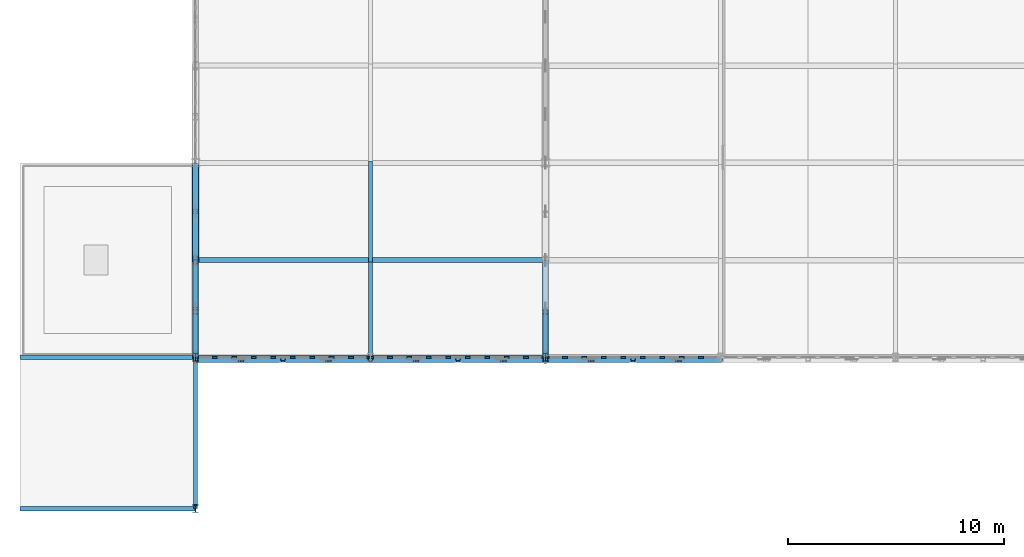
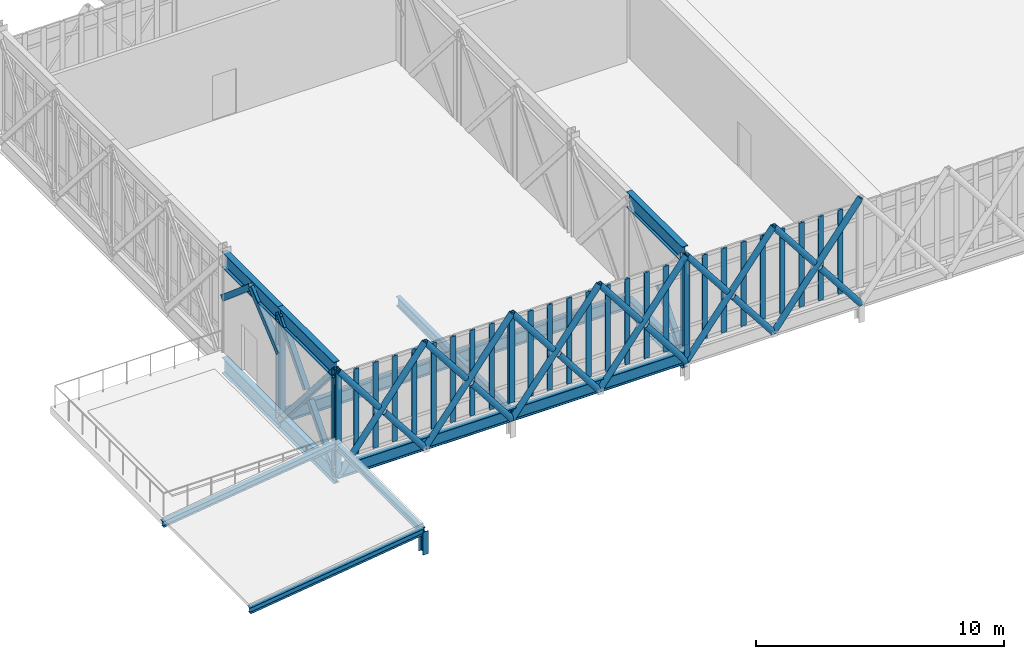
# One storey, part 15 of 107: 59 members, 11 beams, 3 elements without a shape of their own.
"""IFC4 building model written with IfcOpenShell, lengths in metres."""

from ifc_helpers import new_model, si_unit, direction, frame, origin, origin_2d, place, context, subcontext, project, spatial, rectangle, hollow_rectangle, hollow_circle, i_section, extrude, material, material_profile, profile_set, type_object, element, aggregate, save


model = new_model("IFC4")

# Units and contexts
model_context = context("Model", 3, precision=1e-05, world=origin(), true_north=direction((0.0, 1.0)))
body_context = subcontext(model_context, "Body", "Model", "MODEL_VIEW")
ifc_project = project(units=[si_unit("LENGTHUNIT", "METRE"), si_unit("AREAUNIT", "SQUARE_METRE"), si_unit("VOLUMEUNIT", "CUBIC_METRE"), si_unit("PLANEANGLEUNIT", "RADIAN"), si_unit("MASSUNIT", "GRAM", prefix="KILO")], contexts=[model_context])

# Site, building, storey
site_placement = place(None, origin())
site = spatial("IfcSite", under=ifc_project, at=site_placement, CompositionType="ELEMENT")
building_placement = place(site_placement, origin())
building = spatial("IfcBuilding", under=site, at=building_placement, Name="Tarnveldt Square Police Headquarters", CompositionType="ELEMENT")
storey_placement = place(building_placement, frame((0.0, 0.0, 14.699951171875)))
storey = spatial("IfcBuildingStorey", under=building, at=storey_placement, Name="L03", CompositionType="ELEMENT", Elevation=14.699951171875)

# Beams
ifc_material_1 = material(Name="Steel 350W", Category="steel")
ifc_material_profile_1 = material_profile(ifc_material_1, i_section(OverallWidth=0.26708984375, OverallDepth=0.76611328125, WebThickness=0.014892578125, FlangeThickness=0.023681640625, FilletRadius=0.02197265625, at=origin_2d()), Name="W760x185")
ifc_profile_set_1 = profile_set([ifc_material_profile_1], Name="Steel 350W")
beam_type_1 = type_object("IfcBeamType", Name="BM-CT-BOT", PredefinedType="BEAM", material=ifc_profile_set_1)
for number, where, z_axis, x_axis, name in (
    (1, (8.10009765625, 16.0, -0.742919921875), (0.0, -1.0, 0.0), (1.0, 0.0, 0.0), "Cantilever Truss CT-1 Bottom Chord 5"),
    (2, (8.10009765625, 16.0, 4.45703125), (0.0, -1.0, 0.0), (1.0, 0.0, 0.0), "Cantilever Truss CT-1 Mid Chord 5"),
    (3, (8.10009765625, 11.5, -0.742919921875), (0.0, -1.0, 0.0), (1.0, 0.0, 0.0), "Cantilever Truss CT-1 Bottom Chord 6"),
    (4, (8.10009765625, 11.5, 4.45703125), (0.0, -1.0, 0.0), (1.0, 0.0, 0.0), "Cantilever Truss CT-1 Mid Chord 6"),
    (5, (24.300048828125, 11.5, -0.742919921875), (0.0, -1.0, 0.0), (1.0, 0.0, 0.0), "Cantilever Truss CT-2 Bottom Chord 6"),
    (6, (24.300048828125, 11.5, 4.45703125), (0.0, -1.0, 0.0), (1.0, 0.0, 0.0), "Cantilever Truss CT-2 Mid Chord 6"),
):
    element("IfcBeam", number, at=place(storey_placement, frame(where, z_axis=z_axis, x_axis=x_axis)), inside=storey, type_object=beam_type_1, Name=name, PredefinedType="BEAM", context=body_context, shape_type="SweptSolid", body=[
        extrude(i_section(OverallWidth=0.26708984375, OverallDepth=0.76611328125, WebThickness=0.014892578125, FlangeThickness=0.023681640625, FilletRadius=0.02197265625, at=origin_2d()), origin(), (0.0, 0.0, 1.0), 4.5),
    ])
ifc_material_profile_2 = material_profile(ifc_material_1, i_section(OverallWidth=0.202880859375, OverallDepth=0.302978515625, WebThickness=0.007568359375, FlangeThickness=0.01318359375, FilletRadius=0.014892578125, at=origin_2d()), Name="W310x60")
ifc_profile_set_2 = profile_set([ifc_material_profile_2], Name="Steel 350W")
beam_type_2 = type_object("IfcBeamType", Name="BM-W310x60", PredefinedType="JOIST", material=ifc_profile_set_2)
beam_placement = place(storey_placement, frame((8.10009765625, 0.0, 0.760009765625), z_axis=(0.0, 1.0, 0.0), x_axis=(-1.0, 0.0, 0.0)))
element("IfcBeam", 7, at=beam_placement, inside=storey, type_object=beam_type_2, Name="SW Pavilion High Eave Beam", PredefinedType="JOIST", context=body_context, shape_type="SweptSolid", body=[
    extrude(i_section(OverallWidth=0.202880859375, OverallDepth=0.302978515625, WebThickness=0.007568359375, FlangeThickness=0.01318359375, FilletRadius=0.014892578125, at=origin_2d()), origin(), (0.0, 0.0, 1.0), 7.0),
])
ifc_material_profile_3 = material_profile(ifc_material_1, i_section(OverallWidth=0.19189453125, OverallDepth=0.462890625, WebThickness=0.010498046875, FlangeThickness=0.017578125, FilletRadius=0.01806640625, at=origin_2d()), Name="W460x89")
ifc_profile_set_3 = profile_set([ifc_material_profile_3], Name="Steel 350W")
beam_type_3 = type_object("IfcBeamType", Name="BM-W460x89", PredefinedType="BEAM", material=ifc_profile_set_3)
for number, where, z_axis, x_axis, name in (
    (8, (16.199951171875, 16.080078125, -0.491455078125), (0.0, -1.0, 0.0), (1.0, 0.0, 0.0), "Lantern L03 Secondary Beam 16.4"),
    (9, (16.199951171875, 11.580078125, -0.491455078125), (0.0, -1.0, 0.0), (1.0, 0.0, 0.0), "Lantern L03 Secondary Beam 16.5"),
):
    element("IfcBeam", number, at=place(storey_placement, frame(where, z_axis=z_axis, x_axis=x_axis)), inside=storey, type_object=beam_type_3, Name=name, PredefinedType="BEAM", context=body_context, shape_type="SweptSolid", body=[
        extrude(i_section(OverallWidth=0.19189453125, OverallDepth=0.462890625, WebThickness=0.010498046875, FlangeThickness=0.017578125, FilletRadius=0.01806640625, at=origin_2d()), origin(), (0.0, 0.0, 1.0), 4.66015625),
    ])
ifc_material_profile_4 = material_profile(ifc_material_1, i_section(OverallWidth=0.22900390625, OverallDepth=0.612060546875, WebThickness=0.011962890625, FlangeThickness=0.01953125, FilletRadius=0.01904296875, at=origin_2d()), Name="W610x125")
ifc_profile_set_4 = profile_set([ifc_material_profile_4], Name="Steel 350W")
beam_type_4 = type_object("IfcBeamType", Name="BM-W610x125", PredefinedType="BEAM", material=ifc_profile_set_4)
for number, where, z_axis, x_axis, name in (
    (10, (8.10009765625, 11.5, -0.56591796875), (1.0, 0.0, 0.0), (0.0, 1.0, 0.0), "Command Lantern L03 Transverse Girder 1.5"),
    (11, (8.10009765625, 7.0, -0.56591796875), (1.0, 0.0, 0.0), (0.0, 1.0, 0.0), "Command Lantern L03 Transverse Girder 1.6"),
):
    element("IfcBeam", number, at=place(storey_placement, frame(where, z_axis=z_axis, x_axis=x_axis)), inside=storey, type_object=beam_type_4, Name=name, PredefinedType="BEAM", context=body_context, shape_type="SweptSolid", body=[
        extrude(i_section(OverallWidth=0.22900390625, OverallDepth=0.612060546875, WebThickness=0.011962890625, FlangeThickness=0.01953125, FilletRadius=0.01904296875, at=origin_2d()), origin(), (0.0, 0.0, 1.0), 16.199951171875),
    ])

# Curtain wall, members
ifc_material_2 = material(Name="UL 752 Level III laminated ballistic vision glass", Category="glass")
curtain_wall_type_1 = type_object("IfcCurtainWallType", Name="CW-BL-810x422", PredefinedType="USERDEFINED", material=ifc_material_2)
curtain_wall_1_placement = place(storey_placement, origin())
curtain_wall_1 = element("IfcCurtainWall", 12, at=curtain_wall_1_placement, inside=storey, type_object=curtain_wall_type_1, Name="L03 Curtain Wall CW-L03-023", ObjectType="BALLISTIC CURTAIN WALL", PredefinedType="USERDEFINED")
ifc_material_3 = material(Name="Thermally broken anodised aluminium 6063-T6", Category="aluminium")
ifc_material_profile_5 = material_profile(ifc_material_3, rectangle(XDim=0.0849609375, YDim=0.239990234375, at=origin_2d()), Name="CW-M85x240")
ifc_profile_set_5 = profile_set([ifc_material_profile_5], Name="Thermally broken anodised aluminium 6063-T6")
member_type_1 = type_object("IfcMemberType", Name="CWM-85x240", PredefinedType="MULLION", material=ifc_profile_set_5)
member_1_placement = place(storey_placement, frame((8.142578125, 7.0, 0.0), z_axis=(0.0, 0.0, 1.0), x_axis=(0.0, 1.0, 0.0)))
member_1 = element("IfcMember", 13, at=member_1_placement, type_object=member_type_1, Name="CW-BL12 mullion 1", PredefinedType="MULLION", context=body_context, shape_type="SweptSolid", body=[
    extrude(rectangle(XDim=0.0849609375, YDim=0.239990234375, at=origin_2d()), origin(), (0.0, 0.0, 1.0), 4.219970703125),
])
member_2_placement = place(storey_placement, frame((9.0, 7.0, 0.0), z_axis=(0.0, 0.0, 1.0), x_axis=(0.0, 1.0, 0.0)))
member_2 = element("IfcMember", 14, at=member_2_placement, type_object=member_type_1, Name="CW-BL12 mullion 2", PredefinedType="MULLION", context=body_context, shape_type="SweptSolid", body=[
    extrude(rectangle(XDim=0.0849609375, YDim=0.239990234375, at=origin_2d()), origin(), (0.0, 0.0, 1.0), 4.219970703125),
])
member_3_placement = place(storey_placement, frame((9.89990234375, 7.0, 0.0), z_axis=(0.0, 0.0, 1.0), x_axis=(0.0, 1.0, 0.0)))
member_3 = element("IfcMember", 15, at=member_3_placement, type_object=member_type_1, Name="CW-BL12 mullion 3", PredefinedType="MULLION", context=body_context, shape_type="SweptSolid", body=[
    extrude(rectangle(XDim=0.0849609375, YDim=0.239990234375, at=origin_2d()), origin(), (0.0, 0.0, 1.0), 4.219970703125),
])
member_4_placement = place(storey_placement, frame((10.800048828125, 7.0, 0.0), z_axis=(0.0, 0.0, 1.0), x_axis=(0.0, 1.0, 0.0)))
member_4 = element("IfcMember", 16, at=member_4_placement, type_object=member_type_1, Name="CW-BL12 mullion 4", PredefinedType="MULLION", context=body_context, shape_type="SweptSolid", body=[
    extrude(rectangle(XDim=0.0849609375, YDim=0.239990234375, at=origin_2d()), origin(), (0.0, 0.0, 1.0), 4.219970703125),
])
member_5_placement = place(storey_placement, frame((11.699951171875, 7.0, 0.0), z_axis=(0.0, 0.0, 1.0), x_axis=(0.0, 1.0, 0.0)))
member_5 = element("IfcMember", 17, at=member_5_placement, type_object=member_type_1, Name="CW-BL12 mullion 5", PredefinedType="MULLION", context=body_context, shape_type="SweptSolid", body=[
    extrude(rectangle(XDim=0.0849609375, YDim=0.239990234375, at=origin_2d()), origin(), (0.0, 0.0, 1.0), 4.219970703125),
])
member_6_placement = place(storey_placement, frame((12.60009765625, 7.0, 0.0), z_axis=(0.0, 0.0, 1.0), x_axis=(0.0, 1.0, 0.0)))
member_6 = element("IfcMember", 18, at=member_6_placement, type_object=member_type_1, Name="CW-BL12 mullion 6", PredefinedType="MULLION", context=body_context, shape_type="SweptSolid", body=[
    extrude(rectangle(XDim=0.0849609375, YDim=0.239990234375, at=origin_2d()), origin(), (0.0, 0.0, 1.0), 4.219970703125),
])
member_7_placement = place(storey_placement, frame((13.5, 7.0, 0.0), z_axis=(0.0, 0.0, 1.0), x_axis=(0.0, 1.0, 0.0)))
member_7 = element("IfcMember", 19, at=member_7_placement, type_object=member_type_1, Name="CW-BL12 mullion 7", PredefinedType="MULLION", context=body_context, shape_type="SweptSolid", body=[
    extrude(rectangle(XDim=0.0849609375, YDim=0.239990234375, at=origin_2d()), origin(), (0.0, 0.0, 1.0), 4.219970703125),
])
member_8_placement = place(storey_placement, frame((14.39990234375, 7.0, 0.0), z_axis=(0.0, 0.0, 1.0), x_axis=(0.0, 1.0, 0.0)))
member_8 = element("IfcMember", 20, at=member_8_placement, type_object=member_type_1, Name="CW-BL12 mullion 8", PredefinedType="MULLION", context=body_context, shape_type="SweptSolid", body=[
    extrude(rectangle(XDim=0.0849609375, YDim=0.239990234375, at=origin_2d()), origin(), (0.0, 0.0, 1.0), 4.219970703125),
])
member_9_placement = place(storey_placement, frame((15.300048828125, 7.0, 0.0), z_axis=(0.0, 0.0, 1.0), x_axis=(0.0, 1.0, 0.0)))
member_9 = element("IfcMember", 21, at=member_9_placement, type_object=member_type_1, Name="CW-BL12 mullion 9", PredefinedType="MULLION", context=body_context, shape_type="SweptSolid", body=[
    extrude(rectangle(XDim=0.0849609375, YDim=0.239990234375, at=origin_2d()), origin(), (0.0, 0.0, 1.0), 4.219970703125),
])
member_10_placement = place(storey_placement, frame((16.157470703125, 7.0, 0.0), z_axis=(0.0, 0.0, 1.0), x_axis=(0.0, 1.0, 0.0)))
member_10 = element("IfcMember", 22, at=member_10_placement, type_object=member_type_1, Name="CW-BL12 mullion 10", PredefinedType="MULLION", context=body_context, shape_type="SweptSolid", body=[
    extrude(rectangle(XDim=0.0849609375, YDim=0.239990234375, at=origin_2d()), origin(), (0.0, 0.0, 1.0), 4.219970703125),
])
aggregate(curtain_wall_1, [member_1, member_2, member_3, member_4, member_5, member_6, member_7, member_8, member_9, member_10])

curtain_wall_2_placement = place(storey_placement, origin())
curtain_wall_2 = element("IfcCurtainWall", 23, at=curtain_wall_2_placement, inside=storey, type_object=curtain_wall_type_1, Name="L03 Curtain Wall CW-L03-024", ObjectType="BALLISTIC CURTAIN WALL", PredefinedType="USERDEFINED")
member_11_placement = place(storey_placement, frame((16.242431640625, 7.0, 0.0), z_axis=(0.0, 0.0, 1.0), x_axis=(0.0, 1.0, 0.0)))
member_11 = element("IfcMember", 24, at=member_11_placement, type_object=member_type_1, Name="CW-BL12 mullion 1", PredefinedType="MULLION", context=body_context, shape_type="SweptSolid", body=[
    extrude(rectangle(XDim=0.0849609375, YDim=0.239990234375, at=origin_2d()), origin(), (0.0, 0.0, 1.0), 4.219970703125),
])
member_12_placement = place(storey_placement, frame((17.10009765625, 7.0, 0.0), z_axis=(0.0, 0.0, 1.0), x_axis=(0.0, 1.0, 0.0)))
member_12 = element("IfcMember", 25, at=member_12_placement, type_object=member_type_1, Name="CW-BL12 mullion 2", PredefinedType="MULLION", context=body_context, shape_type="SweptSolid", body=[
    extrude(rectangle(XDim=0.0849609375, YDim=0.239990234375, at=origin_2d()), origin(), (0.0, 0.0, 1.0), 4.219970703125),
])
member_13_placement = place(storey_placement, frame((18.0, 7.0, 0.0), z_axis=(0.0, 0.0, 1.0), x_axis=(0.0, 1.0, 0.0)))
member_13 = element("IfcMember", 26, at=member_13_placement, type_object=member_type_1, Name="CW-BL12 mullion 3", PredefinedType="MULLION", context=body_context, shape_type="SweptSolid", body=[
    extrude(rectangle(XDim=0.0849609375, YDim=0.239990234375, at=origin_2d()), origin(), (0.0, 0.0, 1.0), 4.219970703125),
])
member_14_placement = place(storey_placement, frame((18.89990234375, 7.0, 0.0), z_axis=(0.0, 0.0, 1.0), x_axis=(0.0, 1.0, 0.0)))
member_14 = element("IfcMember", 27, at=member_14_placement, type_object=member_type_1, Name="CW-BL12 mullion 4", PredefinedType="MULLION", context=body_context, shape_type="SweptSolid", body=[
    extrude(rectangle(XDim=0.0849609375, YDim=0.239990234375, at=origin_2d()), origin(), (0.0, 0.0, 1.0), 4.219970703125),
])
member_15_placement = place(storey_placement, frame((19.800048828125, 7.0, 0.0), z_axis=(0.0, 0.0, 1.0), x_axis=(0.0, 1.0, 0.0)))
member_15 = element("IfcMember", 28, at=member_15_placement, type_object=member_type_1, Name="CW-BL12 mullion 5", PredefinedType="MULLION", context=body_context, shape_type="SweptSolid", body=[
    extrude(rectangle(XDim=0.0849609375, YDim=0.239990234375, at=origin_2d()), origin(), (0.0, 0.0, 1.0), 4.219970703125),
])
member_16_placement = place(storey_placement, frame((20.699951171875, 7.0, 0.0), z_axis=(0.0, 0.0, 1.0), x_axis=(0.0, 1.0, 0.0)))
member_16 = element("IfcMember", 29, at=member_16_placement, type_object=member_type_1, Name="CW-BL12 mullion 6", PredefinedType="MULLION", context=body_context, shape_type="SweptSolid", body=[
    extrude(rectangle(XDim=0.0849609375, YDim=0.239990234375, at=origin_2d()), origin(), (0.0, 0.0, 1.0), 4.219970703125),
])
member_17_placement = place(storey_placement, frame((21.60009765625, 7.0, 0.0), z_axis=(0.0, 0.0, 1.0), x_axis=(0.0, 1.0, 0.0)))
member_17 = element("IfcMember", 30, at=member_17_placement, type_object=member_type_1, Name="CW-BL12 mullion 7", PredefinedType="MULLION", context=body_context, shape_type="SweptSolid", body=[
    extrude(rectangle(XDim=0.0849609375, YDim=0.239990234375, at=origin_2d()), origin(), (0.0, 0.0, 1.0), 4.219970703125),
])
member_18_placement = place(storey_placement, frame((22.5, 7.0, 0.0), z_axis=(0.0, 0.0, 1.0), x_axis=(0.0, 1.0, 0.0)))
member_18 = element("IfcMember", 31, at=member_18_placement, type_object=member_type_1, Name="CW-BL12 mullion 8", PredefinedType="MULLION", context=body_context, shape_type="SweptSolid", body=[
    extrude(rectangle(XDim=0.0849609375, YDim=0.239990234375, at=origin_2d()), origin(), (0.0, 0.0, 1.0), 4.219970703125),
])
member_19_placement = place(storey_placement, frame((23.39990234375, 7.0, 0.0), z_axis=(0.0, 0.0, 1.0), x_axis=(0.0, 1.0, 0.0)))
member_19 = element("IfcMember", 32, at=member_19_placement, type_object=member_type_1, Name="CW-BL12 mullion 9", PredefinedType="MULLION", context=body_context, shape_type="SweptSolid", body=[
    extrude(rectangle(XDim=0.0849609375, YDim=0.239990234375, at=origin_2d()), origin(), (0.0, 0.0, 1.0), 4.219970703125),
])
member_20_placement = place(storey_placement, frame((24.257568359375, 7.0, 0.0), z_axis=(0.0, 0.0, 1.0), x_axis=(0.0, 1.0, 0.0)))
member_20 = element("IfcMember", 33, at=member_20_placement, type_object=member_type_1, Name="CW-BL12 mullion 10", PredefinedType="MULLION", context=body_context, shape_type="SweptSolid", body=[
    extrude(rectangle(XDim=0.0849609375, YDim=0.239990234375, at=origin_2d()), origin(), (0.0, 0.0, 1.0), 4.219970703125),
])
aggregate(curtain_wall_2, [member_11, member_12, member_13, member_14, member_15, member_16, member_17, member_18, member_19, member_20])

curtain_wall_type_2 = type_object("IfcCurtainWallType", Name="CW-BL-810x414", PredefinedType="USERDEFINED", material=ifc_material_2)
curtain_wall_3_placement = place(storey_placement, origin())
curtain_wall_3 = element("IfcCurtainWall", 34, at=curtain_wall_3_placement, inside=storey, type_object=curtain_wall_type_2, Name="L03 Curtain Wall CW-L03-025", ObjectType="BALLISTIC CURTAIN WALL", PredefinedType="USERDEFINED")
member_21_placement = place(storey_placement, frame((24.342529296875, 7.0, 0.0), z_axis=(0.0, 0.0, 1.0), x_axis=(0.0, 1.0, 0.0)))
member_21 = element("IfcMember", 35, at=member_21_placement, type_object=member_type_1, Name="CW-BL13 mullion 1", PredefinedType="MULLION", context=body_context, shape_type="SweptSolid", body=[
    extrude(rectangle(XDim=0.0849609375, YDim=0.239990234375, at=origin_2d()), origin(), (0.0, 0.0, 1.0), 4.14404296875),
])
member_22_placement = place(storey_placement, frame((25.199951171875, 7.0, 0.0), z_axis=(0.0, 0.0, 1.0), x_axis=(0.0, 1.0, 0.0)))
member_22 = element("IfcMember", 36, at=member_22_placement, type_object=member_type_1, Name="CW-BL13 mullion 2", PredefinedType="MULLION", context=body_context, shape_type="SweptSolid", body=[
    extrude(rectangle(XDim=0.0849609375, YDim=0.239990234375, at=origin_2d()), origin(), (0.0, 0.0, 1.0), 4.14404296875),
])
member_23_placement = place(storey_placement, frame((26.10009765625, 7.0, 0.0), z_axis=(0.0, 0.0, 1.0), x_axis=(0.0, 1.0, 0.0)))
member_23 = element("IfcMember", 37, at=member_23_placement, type_object=member_type_1, Name="CW-BL13 mullion 3", PredefinedType="MULLION", context=body_context, shape_type="SweptSolid", body=[
    extrude(rectangle(XDim=0.0849609375, YDim=0.239990234375, at=origin_2d()), origin(), (0.0, 0.0, 1.0), 4.14404296875),
])
member_24_placement = place(storey_placement, frame((27.0, 7.0, 0.0), z_axis=(0.0, 0.0, 1.0), x_axis=(0.0, 1.0, 0.0)))
member_24 = element("IfcMember", 38, at=member_24_placement, type_object=member_type_1, Name="CW-BL13 mullion 4", PredefinedType="MULLION", context=body_context, shape_type="SweptSolid", body=[
    extrude(rectangle(XDim=0.0849609375, YDim=0.239990234375, at=origin_2d()), origin(), (0.0, 0.0, 1.0), 4.14404296875),
])
member_25_placement = place(storey_placement, frame((27.89990234375, 7.0, 0.0), z_axis=(0.0, 0.0, 1.0), x_axis=(0.0, 1.0, 0.0)))
member_25 = element("IfcMember", 39, at=member_25_placement, type_object=member_type_1, Name="CW-BL13 mullion 5", PredefinedType="MULLION", context=body_context, shape_type="SweptSolid", body=[
    extrude(rectangle(XDim=0.0849609375, YDim=0.239990234375, at=origin_2d()), origin(), (0.0, 0.0, 1.0), 4.14404296875),
])
member_26_placement = place(storey_placement, frame((28.800048828125, 7.0, 0.0), z_axis=(0.0, 0.0, 1.0), x_axis=(0.0, 1.0, 0.0)))
member_26 = element("IfcMember", 40, at=member_26_placement, type_object=member_type_1, Name="CW-BL13 mullion 6", PredefinedType="MULLION", context=body_context, shape_type="SweptSolid", body=[
    extrude(rectangle(XDim=0.0849609375, YDim=0.239990234375, at=origin_2d()), origin(), (0.0, 0.0, 1.0), 4.14404296875),
])
member_27_placement = place(storey_placement, frame((29.699951171875, 7.0, 0.0), z_axis=(0.0, 0.0, 1.0), x_axis=(0.0, 1.0, 0.0)))
member_27 = element("IfcMember", 41, at=member_27_placement, type_object=member_type_1, Name="CW-BL13 mullion 7", PredefinedType="MULLION", context=body_context, shape_type="SweptSolid", body=[
    extrude(rectangle(XDim=0.0849609375, YDim=0.239990234375, at=origin_2d()), origin(), (0.0, 0.0, 1.0), 4.14404296875),
])
member_28_placement = place(storey_placement, frame((30.60009765625, 7.0, 0.0), z_axis=(0.0, 0.0, 1.0), x_axis=(0.0, 1.0, 0.0)))
member_28 = element("IfcMember", 42, at=member_28_placement, type_object=member_type_1, Name="CW-BL13 mullion 8", PredefinedType="MULLION", context=body_context, shape_type="SweptSolid", body=[
    extrude(rectangle(XDim=0.0849609375, YDim=0.239990234375, at=origin_2d()), origin(), (0.0, 0.0, 1.0), 4.14404296875),
])
member_29_placement = place(storey_placement, frame((31.5, 7.0, 0.0), z_axis=(0.0, 0.0, 1.0), x_axis=(0.0, 1.0, 0.0)))
member_29 = element("IfcMember", 43, at=member_29_placement, type_object=member_type_1, Name="CW-BL13 mullion 9", PredefinedType="MULLION", context=body_context, shape_type="SweptSolid", body=[
    extrude(rectangle(XDim=0.0849609375, YDim=0.239990234375, at=origin_2d()), origin(), (0.0, 0.0, 1.0), 4.14404296875),
])
aggregate(curtain_wall_3, [member_21, member_22, member_23, member_24, member_25, member_26, member_27, member_28, member_29])

# Members
ifc_material_profile_6 = material_profile(ifc_material_1, i_section(OverallWidth=0.257080078125, OverallDepth=0.363037109375, WebThickness=0.012939453125, FlangeThickness=0.021728515625, FilletRadius=0.01611328125, at=origin_2d()), Name="W360x122")
ifc_profile_set_6 = profile_set([ifc_material_profile_6], Name="Steel 350W")
member_type_2 = type_object("IfcMemberType", Name="MEM-CT-POST", PredefinedType="STRUT", material=ifc_profile_set_6)
for number, where, z_axis, x_axis, name in (
    (44, (8.10009765625, 11.5, -0.742919921875), (0.0, 0.0, 1.0), (1.0, 0.0, 0.0), "Cantilever Truss CT-1 L03 Post 6"),
    (45, (8.10009765625, 7.0, -0.742919921875), (0.0, 0.0, 1.0), (1.0, 0.0, 0.0), "Cantilever Truss CT-1 L03 Post 7"),
    (46, (24.300048828125, 7.0, -0.742919921875), (0.0, 0.0, 1.0), (1.0, 0.0, 0.0), "Cantilever Truss CT-2 L03 Post 7"),
):
    element("IfcMember", number, at=place(storey_placement, frame(where, z_axis=z_axis, x_axis=x_axis)), inside=storey, type_object=member_type_2, Name=name, PredefinedType="STRUT", context=body_context, shape_type="SweptSolid", body=[
        extrude(i_section(OverallWidth=0.257080078125, OverallDepth=0.363037109375, WebThickness=0.012939453125, FlangeThickness=0.021728515625, FilletRadius=0.01611328125, at=origin_2d()), origin(), (0.0, 0.0, 1.0), 5.199951171875),
    ])
member_30_placement = place(storey_placement, frame((8.10009765625, 0.0, -0.280029296875), z_axis=(0.0, 0.0, 1.0), x_axis=(1.0, 0.0, 0.0)))
element("IfcMember", 47, at=member_30_placement, inside=storey, type_object=member_type_2, Name="SW Pavilion High Strut 0", PredefinedType="STRUT", context=body_context, shape_type="SweptSolid", body=[
    extrude(i_section(OverallWidth=0.257080078125, OverallDepth=0.363037109375, WebThickness=0.012939453125, FlangeThickness=0.021728515625, FilletRadius=0.01611328125, at=origin_2d()), origin(), (0.0, 0.0, 1.0), 1.130126953125),
])
ifc_material_profile_7 = material_profile(ifc_material_1, hollow_rectangle(XDim=0.3046875, YDim=0.3046875, WallThickness=0.015869140625, InnerFilletRadius=0.015869140625, OuterFilletRadius=0.03173828125, at=origin_2d()), Name="HSS305x305x16")
ifc_profile_set_7 = profile_set([ifc_material_profile_7], Name="Steel 350W")
member_type_3 = type_object("IfcMemberType", Name="MEM-CT-WEB1", PredefinedType="BRACE", material=ifc_profile_set_7)
for number, where, z_axis, x_axis, name in (
    (48, (8.10009765625, 16.0, 2.550048828125), (0.0, -0.762861692036, 0.646561705349), (1.0, 0.0, 0.0), "Cantilever Truss CT-1 L03 Portal Brace A5"),
    (49, (8.10009765625, 11.5, 2.550048828125), (0.0, 0.762861692036, 0.646561705349), (-1.0, 0.0, 0.0), "Cantilever Truss CT-1 L03 Portal Brace B5"),
):
    element("IfcMember", number, at=place(storey_placement, frame(where, z_axis=z_axis, x_axis=x_axis)), inside=storey, type_object=member_type_3, Name=name, PredefinedType="BRACE", context=body_context, shape_type="SweptSolid", body=[
        extrude(hollow_rectangle(XDim=0.3046875, YDim=0.3046875, WallThickness=0.015869140625, InnerFilletRadius=0.015869140625, OuterFilletRadius=0.03173828125, at=origin_2d()), origin(), (0.0, 0.0, 1.0), 2.949462890625),
    ])
ifc_material_profile_8 = material_profile(ifc_material_1, hollow_rectangle(XDim=0.25390625, YDim=0.25390625, WallThickness=0.0126953125, InnerFilletRadius=0.0126953125, OuterFilletRadius=0.025390625, at=origin_2d()), Name="HSS254x254x13")
ifc_profile_set_8 = profile_set([ifc_material_profile_8], Name="Steel 350W")
member_type_4 = type_object("IfcMemberType", Name="MEM-CT-WEB2", PredefinedType="BRACE", material=ifc_profile_set_8)
member_31_placement = place(storey_placement, frame((8.10009765625, 11.5, -0.742919921875), z_axis=(0.0, -0.654380257886, 0.756165641966), x_axis=(1.0, 0.0, 0.0)))
element("IfcMember", 50, at=member_31_placement, inside=storey, type_object=member_type_4, Name="Cantilever Truss CT-1 L03 Web A6", PredefinedType="BRACE", context=body_context, shape_type="SweptSolid", body=[
    extrude(hollow_rectangle(XDim=0.25390625, YDim=0.25390625, WallThickness=0.0126953125, InnerFilletRadius=0.0126953125, OuterFilletRadius=0.025390625, at=origin_2d()), origin(), (0.0, 0.0, 1.0), 6.876708984375),
])
for number, where, z_axis, x_axis, name in (
    (51, (8.10009765625, 7.0, -0.742919921875), (0.0, 0.654370071154, 0.756174457369), (-1.0, 0.0, 0.0), "Cantilever Truss CT-1 L03 Web B6 Lower"),
    (52, (8.10009765625, 9.39404296875, 2.0234375), (0.0, 0.654370071154, 0.756174457369), (-1.0, 0.0, 0.0), "Cantilever Truss CT-1 L03 Web B6 Upper"),
    (53, (24.300048828125, 7.0, -0.742919921875), (0.0, 0.654370071154, 0.756174457369), (-1.0, 0.0, 0.0), "Cantilever Truss CT-2 L03 Web B6 Lower"),
):
    element("IfcMember", number, at=place(storey_placement, frame(where, z_axis=z_axis, x_axis=x_axis)), inside=storey, type_object=member_type_4, Name=name, PredefinedType="BRACE", context=body_context, shape_type="SweptSolid", body=[
        extrude(hollow_rectangle(XDim=0.25390625, YDim=0.25390625, WallThickness=0.0126953125, InnerFilletRadius=0.0126953125, OuterFilletRadius=0.025390625, at=origin_2d()), origin(), (0.0, 0.0, 1.0), 3.21826171875),
    ])
ifc_material_profile_9 = material_profile(ifc_material_1, i_section(OverallWidth=0.202880859375, OverallDepth=0.302978515625, WebThickness=0.007568359375, FlangeThickness=0.01318359375, FilletRadius=0.014892578125, at=origin_2d()), Name="W310x60")
ifc_profile_set_9 = profile_set([ifc_material_profile_9], Name="Steel 350W")
member_type_5 = type_object("IfcMemberType", Name="MEM-L07-RAF", PredefinedType="RAFTER", material=ifc_profile_set_9)
for number, where, z_axis, x_axis, name in (
    (54, (0.0, 0.0, -0.280029296875), (0.991226856948, 0.0, 0.132171547867), (0.0, 1.0, 0.0), "SW Pavilion Rafter 0"),
    (55, (0.0, 7.0, -0.280029296875), (0.991226856948, 0.0, 0.132171547867), (0.0, 1.0, 0.0), "SW Pavilion Rafter 7"),
):
    element("IfcMember", number, at=place(storey_placement, frame(where, z_axis=z_axis, x_axis=x_axis)), inside=storey, type_object=member_type_5, Name=name, PredefinedType="RAFTER", context=body_context, shape_type="SweptSolid", body=[
        extrude(i_section(OverallWidth=0.202880859375, OverallDepth=0.302978515625, WebThickness=0.007568359375, FlangeThickness=0.01318359375, FilletRadius=0.014892578125, at=origin_2d()), origin(), (0.0, 0.0, 1.0), 8.171875),
    ])
ifc_material_profile_10 = material_profile(ifc_material_1, hollow_circle(Radius=0.136474609375, WallThickness=0.0126953125, at=origin_2d()), Name="HSS273x13")
ifc_profile_set_10 = profile_set([ifc_material_profile_10], Name="Steel 350W")
member_type_6 = type_object("IfcMemberType", Name="MEM-LT-DIAG1", PredefinedType="BRACE", material=ifc_profile_set_10)
member_32_placement = place(storey_placement, frame((8.10009765625, 6.89990234375, -0.742919921875), z_axis=(0.614450808426, 0.0, 0.788955134354), x_axis=(0.0, 1.0, 0.0)))
element("IfcMember", 56, at=member_32_placement, inside=storey, type_object=member_type_6, Name="Command Lantern S Steel Lattice Brace 1.1A", PredefinedType="BRACE", context=body_context, shape_type="SweptSolid", body=[
    extrude(hollow_circle(Radius=0.136474609375, WallThickness=0.0126953125, at=origin_2d()), origin(), (0.0, 0.0, 1.0), 6.5908203125),
])
for number, where, z_axis, x_axis, name in (
    (57, (12.14990234375, 6.89990234375, -0.742919921875), (-0.614475574544, 0.0, 0.788935845484), (0.0, -1.0, 0.0), "Command Lantern S Steel Lattice Brace 1.1B Lower"),
    (58, (10.002197265625, 6.89990234375, 2.014892578125), (-0.614475574544, 0.0, 0.788935845484), (0.0, -1.0, 0.0), "Command Lantern S Steel Lattice Brace 1.1B Upper"),
):
    element("IfcMember", number, at=place(storey_placement, frame(where, z_axis=z_axis, x_axis=x_axis)), inside=storey, type_object=member_type_6, Name=name, PredefinedType="BRACE", context=body_context, shape_type="SweptSolid", body=[
        extrude(hollow_circle(Radius=0.136474609375, WallThickness=0.0126953125, at=origin_2d()), origin(), (0.0, 0.0, 1.0), 3.095458984375),
    ])
member_33_placement = place(storey_placement, frame((12.14990234375, 6.89990234375, -0.742919921875), z_axis=(0.614473864369, 0.0, 0.788937177478), x_axis=(0.0, 1.0, 0.0)))
element("IfcMember", 59, at=member_33_placement, inside=storey, type_object=member_type_6, Name="Command Lantern S Steel Lattice Brace 1.2A", PredefinedType="BRACE", context=body_context, shape_type="SweptSolid", body=[
    extrude(hollow_circle(Radius=0.136474609375, WallThickness=0.0126953125, at=origin_2d()), origin(), (0.0, 0.0, 1.0), 6.591064453125),
])
for number, where, z_axis, x_axis, name in (
    (60, (16.199951171875, 6.89990234375, -0.742919921875), (-0.614475574544, 0.0, 0.788935845484), (0.0, -1.0, 0.0), "Command Lantern S Steel Lattice Brace 1.2B Lower"),
    (61, (14.052001953125, 6.89990234375, 2.014892578125), (-0.614475574544, 0.0, 0.788935845484), (0.0, -1.0, 0.0), "Command Lantern S Steel Lattice Brace 1.2B Upper"),
):
    element("IfcMember", number, at=place(storey_placement, frame(where, z_axis=z_axis, x_axis=x_axis)), inside=storey, type_object=member_type_6, Name=name, PredefinedType="BRACE", context=body_context, shape_type="SweptSolid", body=[
        extrude(hollow_circle(Radius=0.136474609375, WallThickness=0.0126953125, at=origin_2d()), origin(), (0.0, 0.0, 1.0), 3.095458984375),
    ])
member_34_placement = place(storey_placement, frame((16.199951171875, 6.89990234375, -0.742919921875), z_axis=(0.614473864369, 0.0, 0.788937177478), x_axis=(0.0, 1.0, 0.0)))
element("IfcMember", 62, at=member_34_placement, inside=storey, type_object=member_type_6, Name="Command Lantern S Steel Lattice Brace 2.1A", PredefinedType="BRACE", context=body_context, shape_type="SweptSolid", body=[
    extrude(hollow_circle(Radius=0.136474609375, WallThickness=0.0126953125, at=origin_2d()), origin(), (0.0, 0.0, 1.0), 6.591064453125),
])
for number, where, z_axis, x_axis, name in (
    (63, (20.25, 6.89990234375, -0.742919921875), (-0.614475574544, 0.0, 0.788935845484), (0.0, -1.0, 0.0), "Command Lantern S Steel Lattice Brace 2.1B Lower"),
    (64, (18.10205078125, 6.89990234375, 2.014892578125), (-0.614475574544, 0.0, 0.788935845484), (0.0, -1.0, 0.0), "Command Lantern S Steel Lattice Brace 2.1B Upper"),
):
    element("IfcMember", number, at=place(storey_placement, frame(where, z_axis=z_axis, x_axis=x_axis)), inside=storey, type_object=member_type_6, Name=name, PredefinedType="BRACE", context=body_context, shape_type="SweptSolid", body=[
        extrude(hollow_circle(Radius=0.136474609375, WallThickness=0.0126953125, at=origin_2d()), origin(), (0.0, 0.0, 1.0), 3.095458984375),
    ])
member_35_placement = place(storey_placement, frame((20.25, 6.89990234375, -0.742919921875), z_axis=(0.614473864369, 0.0, 0.788937177478), x_axis=(0.0, 1.0, 0.0)))
element("IfcMember", 65, at=member_35_placement, inside=storey, type_object=member_type_6, Name="Command Lantern S Steel Lattice Brace 2.2A", PredefinedType="BRACE", context=body_context, shape_type="SweptSolid", body=[
    extrude(hollow_circle(Radius=0.136474609375, WallThickness=0.0126953125, at=origin_2d()), origin(), (0.0, 0.0, 1.0), 6.591064453125),
])
for number, where, z_axis, x_axis, name in (
    (66, (24.300048828125, 6.89990234375, -0.742919921875), (-0.614475574544, 0.0, 0.788935845484), (0.0, -1.0, 0.0), "Command Lantern S Steel Lattice Brace 2.2B Lower"),
    (67, (22.152099609375, 6.89990234375, 2.014892578125), (-0.614475574544, 0.0, 0.788935845484), (0.0, -1.0, 0.0), "Command Lantern S Steel Lattice Brace 2.2B Upper"),
):
    element("IfcMember", number, at=place(storey_placement, frame(where, z_axis=z_axis, x_axis=x_axis)), inside=storey, type_object=member_type_6, Name=name, PredefinedType="BRACE", context=body_context, shape_type="SweptSolid", body=[
        extrude(hollow_circle(Radius=0.136474609375, WallThickness=0.0126953125, at=origin_2d()), origin(), (0.0, 0.0, 1.0), 3.095458984375),
    ])
member_36_placement = place(storey_placement, frame((24.300048828125, 6.89990234375, -0.742919921875), z_axis=(0.614473864369, 0.0, 0.788937177478), x_axis=(0.0, 1.0, 0.0)))
element("IfcMember", 68, at=member_36_placement, inside=storey, type_object=member_type_6, Name="Command Lantern S Steel Lattice Brace 3.1A", PredefinedType="BRACE", context=body_context, shape_type="SweptSolid", body=[
    extrude(hollow_circle(Radius=0.136474609375, WallThickness=0.0126953125, at=origin_2d()), origin(), (0.0, 0.0, 1.0), 6.591064453125),
])
for number, where, z_axis, x_axis, name in (
    (69, (28.35009765625, 6.89990234375, -0.742919921875), (-0.614475574544, 0.0, 0.788935845484), (0.0, -1.0, 0.0), "Command Lantern S Steel Lattice Brace 3.1B Lower"),
    (70, (26.2021484375, 6.89990234375, 2.014892578125), (-0.614475574544, 0.0, 0.788935845484), (0.0, -1.0, 0.0), "Command Lantern S Steel Lattice Brace 3.1B Upper"),
):
    element("IfcMember", number, at=place(storey_placement, frame(where, z_axis=z_axis, x_axis=x_axis)), inside=storey, type_object=member_type_6, Name=name, PredefinedType="BRACE", context=body_context, shape_type="SweptSolid", body=[
        extrude(hollow_circle(Radius=0.136474609375, WallThickness=0.0126953125, at=origin_2d()), origin(), (0.0, 0.0, 1.0), 3.095458984375),
    ])
member_37_placement = place(storey_placement, frame((28.35009765625, 6.89990234375, -0.742919921875), z_axis=(0.614450808426, 0.0, 0.788955134354), x_axis=(0.0, 1.0, 0.0)))
element("IfcMember", 71, at=member_37_placement, inside=storey, type_object=member_type_6, Name="Command Lantern S Steel Lattice Brace 3.2A", PredefinedType="BRACE", context=body_context, shape_type="SweptSolid", body=[
    extrude(hollow_circle(Radius=0.136474609375, WallThickness=0.0126953125, at=origin_2d()), origin(), (0.0, 0.0, 1.0), 6.5908203125),
])
for number, where, z_axis, x_axis, name in (
    (72, (32.39990234375, 6.89990234375, -0.742919921875), (-0.614475574544, 0.0, 0.788935845484), (0.0, -1.0, 0.0), "Command Lantern S Steel Lattice Brace 3.2B Lower"),
    (73, (30.252197265625, 6.89990234375, 2.014892578125), (-0.614475574544, 0.0, 0.788935845484), (0.0, -1.0, 0.0), "Command Lantern S Steel Lattice Brace 3.2B Upper"),
):
    element("IfcMember", number, at=place(storey_placement, frame(where, z_axis=z_axis, x_axis=x_axis)), inside=storey, type_object=member_type_6, Name=name, PredefinedType="BRACE", context=body_context, shape_type="SweptSolid", body=[
        extrude(hollow_circle(Radius=0.136474609375, WallThickness=0.0126953125, at=origin_2d()), origin(), (0.0, 0.0, 1.0), 3.095458984375),
    ])

save(model, "model.ifc")
